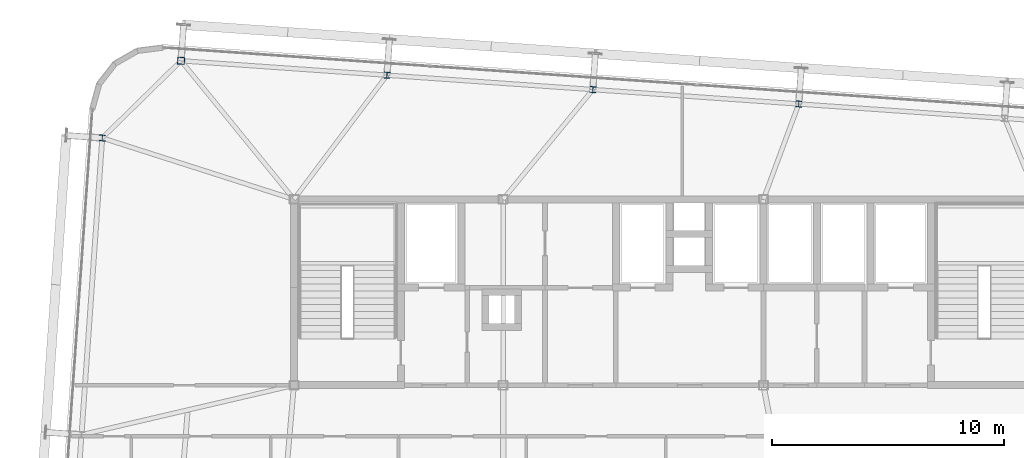
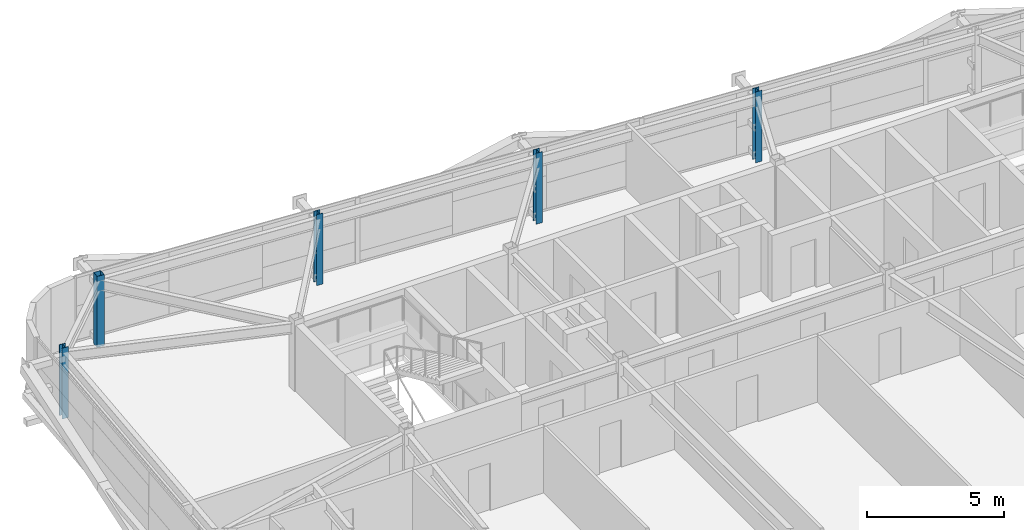
# One storey, part 4 of 39: 5 columns.
"""IFC4 building model written with IfcOpenShell, lengths in metres."""

from ifc_helpers import new_model, si_unit, direction, frame, origin, origin_2d, place, context, subcontext, project, spatial, hollow_rectangle, i_section, extrude, source, transform, mapped, material, material_profile, profile_set, type_object, element, save


model = new_model("IFC4")

# Units and contexts
model_context = context("Model", 3, precision=1e-05, world=origin(), true_north=direction((0.0, 1.0)))
body_context = subcontext(model_context, "Body", "Model", "MODEL_VIEW")
ifc_project = project(units=[si_unit("LENGTHUNIT", "METRE"), si_unit("AREAUNIT", "SQUARE_METRE"), si_unit("VOLUMEUNIT", "CUBIC_METRE"), si_unit("PLANEANGLEUNIT", "RADIAN"), si_unit("MASSUNIT", "GRAM", prefix="KILO")], contexts=[model_context])

# Site, building, storey
site_placement = place(None, origin())
site = spatial("IfcSite", under=ifc_project, at=site_placement, CompositionType="ELEMENT")
building_placement = place(site_placement, origin())
building = spatial("IfcBuilding", under=site, at=building_placement, Name="Taldren Reach Tower", CompositionType="ELEMENT")
storey_placement = place(building_placement, frame((0.0, 0.0, 123.550048828125)))
storey = spatial("IfcBuildingStorey", under=building, at=storey_placement, Name="L37", CompositionType="ELEMENT", Elevation=123.550048828125)

# Columns
ifc_material_1 = material(Name="Steel Gr 450 (C450L0)", Category="steel")
ifc_material_profile_1 = material_profile(ifc_material_1, hollow_rectangle(XDim=0.300048828125, YDim=0.300048828125, WallThickness=0.012451171875, at=origin_2d()), Name="300x300x12.5SHS")
ifc_profile_set_1 = profile_set([ifc_material_profile_1], Name="Steel Gr 450 (C450L0)")
column_type_1 = type_object("IfcColumnType", Name="COL-SHS300", PredefinedType="COLUMN", material=ifc_profile_set_1)
shared_shape_1 = source(origin(), body_context, "Body", "SweptSolid", [
    extrude(hollow_rectangle(XDim=0.300048828125, YDim=0.300048828125, WallThickness=0.012451171875, at=origin_2d()), origin(), (0.0, 0.0, 1.0), 3.14990234375),
])
column_placement = place(storey_placement, frame((14.14453125, 37.958740234375, 0.0), z_axis=(0.0, 0.0, 1.0), x_axis=(0.99756405026, -0.069756473744, 0.0)))
element("IfcColumn", 1, at=column_placement, inside=storey, type_object=column_type_1, Name="Block B3 perimeter column N1 L37", PredefinedType="COLUMN", context=body_context, shape_type="MappedRepresentation", body=[
    mapped(shared_shape_1, transform((0.0, 0.0, 0.0), scale=1.0)),
])
ifc_material_2 = material(Name="Steel Gr 350 (350PLUS)", Category="steel")
ifc_material_profile_2 = material_profile(ifc_material_2, i_section(OverallWidth=0.256103515625, OverallDepth=0.260009765625, WebThickness=0.010498046875, FlangeThickness=0.017333984375, at=origin_2d()), Name="250UC89.5")
ifc_profile_set_2 = profile_set([ifc_material_profile_2], Name="Steel Gr 350 (350PLUS)")
column_type_2 = type_object("IfcColumnType", Name="COL-UC250", PredefinedType="COLUMN", material=ifc_profile_set_2)
shared_shape_2 = source(origin(), body_context, "Body", "SweptSolid", [
    extrude(i_section(OverallWidth=0.256103515625, OverallDepth=0.260009765625, WebThickness=0.010498046875, FlangeThickness=0.017333984375, at=origin_2d()), origin(), (0.0, 0.0, 1.0), 3.14990234375),
])
for number, where, z_axis, x_axis, name in (
    (2, (23.0029296875, 37.33935546875, 0.0), (0.0, 0.0, 1.0), (0.99756405026, -0.069756473744, 0.0), "Block B3 perimeter column N2 L37"),
    (3, (31.861328125, 36.719970703125, 0.0), (0.0, 0.0, 1.0), (0.99756405026, -0.069756473744, 0.0), "Block B3 perimeter column N3 L37"),
    (4, (40.7197265625, 36.100341796875, 0.0), (0.0, 0.0, 1.0), (0.99756405026, -0.069756473744, 0.0), "Block B3 perimeter column N4 L37"),
    (5, (10.754638671875, 34.63720703125, 0.0), (0.0, 0.0, 1.0), (0.99756405026, -0.069756473744, 0.0), "Block B3 perimeter column W3 L37"),
):
    element("IfcColumn", number, at=place(storey_placement, frame(where, z_axis=z_axis, x_axis=x_axis)), inside=storey, type_object=column_type_2, Name=name, PredefinedType="COLUMN", context=body_context, shape_type="MappedRepresentation", body=[
        mapped(shared_shape_2, transform((0.0, 0.0, 0.0), scale=1.0)),
    ])

save(model, "model.ifc")
